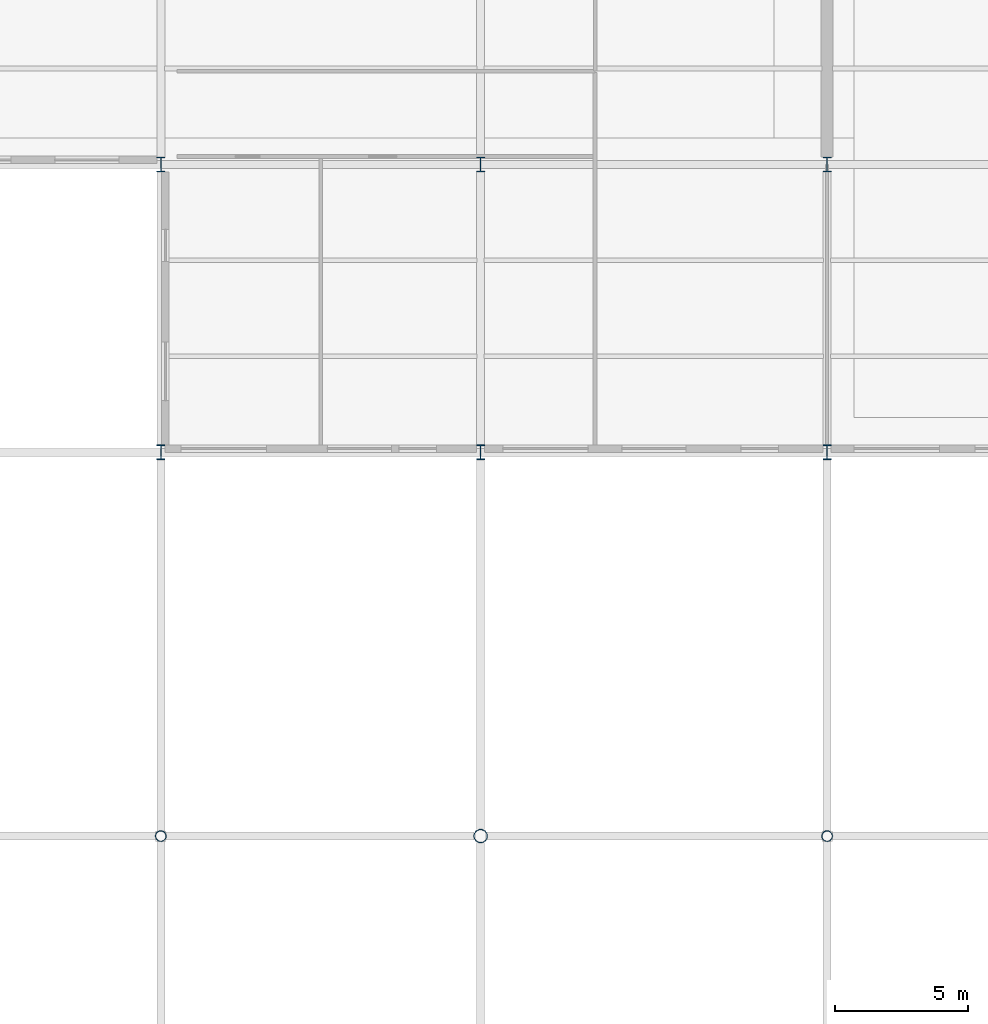
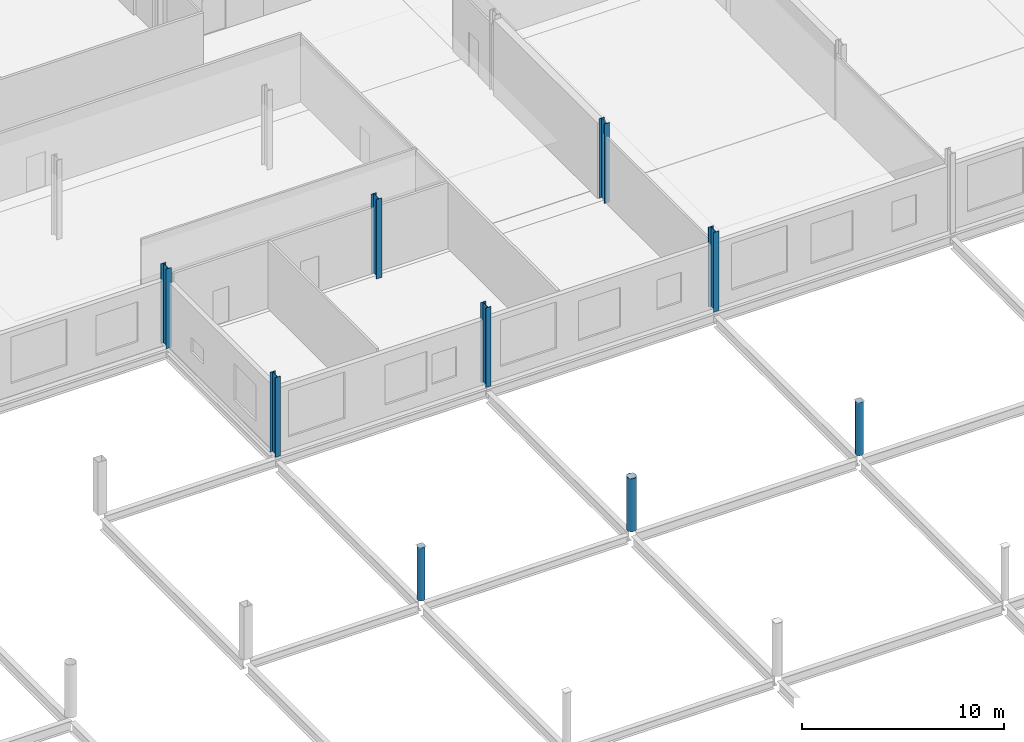
# One storey, part 17 of 134: 9 columns.
"""IFC4 building model written with IfcOpenShell, lengths in metres."""

from ifc_helpers import new_model, si_unit, direction, frame, origin, origin_2d, place, context, subcontext, project, spatial, hollow_circle, i_section, extrude, material, material_profile, profile_set, type_object, element, save


model = new_model("IFC4")

# Units and contexts
model_context = context("Model", 3, precision=1e-05, world=origin(), true_north=direction((0.0, 1.0)))
body_context = subcontext(model_context, "Body", "Model", "MODEL_VIEW")
ifc_project = project(units=[si_unit("LENGTHUNIT", "METRE"), si_unit("AREAUNIT", "SQUARE_METRE"), si_unit("VOLUMEUNIT", "CUBIC_METRE"), si_unit("PLANEANGLEUNIT", "RADIAN"), si_unit("MASSUNIT", "GRAM", prefix="KILO")], contexts=[model_context])

# Site, building, storey
site_placement = place(None, origin())
site = spatial("IfcSite", under=ifc_project, at=site_placement, CompositionType="ELEMENT")
building_placement = place(site_placement, origin())
building = spatial("IfcBuilding", under=site, at=building_placement, Name="Tamarisk Ironworks Central Station", CompositionType="ELEMENT")
storey_placement = place(building_placement, frame((0.0, 0.0, 12.60009765625)))
storey = spatial("IfcBuildingStorey", under=building, at=storey_placement, Name="L02", CompositionType="ELEMENT", Elevation=12.60009765625)

# Columns
ifc_material_1 = material(Name="Structural steel S355J2", Category="steel")
ifc_material_profile_1 = material_profile(ifc_material_1, i_section(OverallWidth=0.300048828125, OverallDepth=0.550048828125, WebThickness=0.014892578125, FlangeThickness=0.029052734375, at=origin_2d()), Name="HEB 550")
ifc_profile_set_1 = profile_set([ifc_material_profile_1], Name="Structural steel S355J2")
column_type_1 = type_object("IfcColumnType", Name="COL-S06", PredefinedType="COLUMN", material=ifc_profile_set_1)
for number, where, z_axis, x_axis, name in (
    (1, (128.0, 79.199951171875, 0.0), (0.0, 0.0, 1.0), (1.0, 0.0, 0.0), "L02 column V5-16G"),
    (2, (128.0, 90.0, 0.0), (0.0, 0.0, 1.0), (1.0, 0.0, 0.0), "L02 column V5-16H"),
    (3, (140.0, 79.199951171875, 0.0), (0.0, 0.0, 1.0), (1.0, 0.0, 0.0), "L02 column V5-17G"),
    (4, (140.0, 90.0, 0.0), (0.0, 0.0, 1.0), (1.0, 0.0, 0.0), "L02 column V5-17H"),
    (5, (153.0, 79.199951171875, 0.0), (0.0, 0.0, 1.0), (1.0, 0.0, 0.0), "L02 column V5-18G"),
    (6, (153.0, 90.0, 0.0), (0.0, 0.0, 1.0), (1.0, 0.0, 0.0), "L02 column V5-18H"),
):
    element("IfcColumn", number, at=place(storey_placement, frame(where, z_axis=z_axis, x_axis=x_axis)), inside=storey, type_object=column_type_1, Name=name, PredefinedType="COLUMN", context=body_context, shape_type="SweptSolid", body=[
        extrude(i_section(OverallWidth=0.300048828125, OverallDepth=0.550048828125, WebThickness=0.014892578125, FlangeThickness=0.029052734375, at=origin_2d()), origin(), (0.0, 0.0, 1.0), 4.7998046875),
    ])
ifc_material_2 = material(Name="Structural steel S355J2H", Category="steel")
ifc_material_profile_2 = material_profile(ifc_material_2, hollow_circle(Radius=0.25390625, WallThickness=0.01611328125, at=origin_2d()), Name="CHS 508x16")
ifc_profile_set_2 = profile_set([ifc_material_profile_2], Name="Structural steel S355J2H")
column_type_2 = type_object("IfcColumnType", Name="COL-S16", PredefinedType="COLUMN", material=ifc_profile_set_2)
column_placement = place(storey_placement, frame((140.0, 64.800048828125, 0.0), z_axis=(0.0, 0.0, 1.0), x_axis=(1.0, 0.0, 0.0)))
element("IfcColumn", 7, at=column_placement, inside=storey, type_object=column_type_2, Name="L02 column V1-17F", PredefinedType="COLUMN", context=body_context, shape_type="SweptSolid", body=[
    extrude(hollow_circle(Radius=0.25390625, WallThickness=0.01611328125, at=origin_2d()), origin(), (0.0, 0.0, 1.0), 3.199951171875),
])
ifc_material_profile_3 = material_profile(ifc_material_2, hollow_circle(Radius=0.203125, WallThickness=0.01416015625, at=origin_2d()), Name="CHS 406.4x14.2")
ifc_profile_set_3 = profile_set([ifc_material_profile_3], Name="Structural steel S355J2H")
column_type_3 = type_object("IfcColumnType", Name="COL-S17", PredefinedType="COLUMN", material=ifc_profile_set_3)
for number, where, z_axis, x_axis, name in (
    (8, (128.0, 64.800048828125, 0.0), (0.0, 0.0, 1.0), (1.0, 0.0, 0.0), "L02 column V1-16F"),
    (9, (153.0, 64.800048828125, 0.0), (0.0, 0.0, 1.0), (1.0, 0.0, 0.0), "L02 column V1-18F"),
):
    element("IfcColumn", number, at=place(storey_placement, frame(where, z_axis=z_axis, x_axis=x_axis)), inside=storey, type_object=column_type_3, Name=name, PredefinedType="COLUMN", context=body_context, shape_type="SweptSolid", body=[
        extrude(hollow_circle(Radius=0.203125, WallThickness=0.01416015625, at=origin_2d()), origin(), (0.0, 0.0, 1.0), 3.199951171875),
    ])

save(model, "model.ifc")
